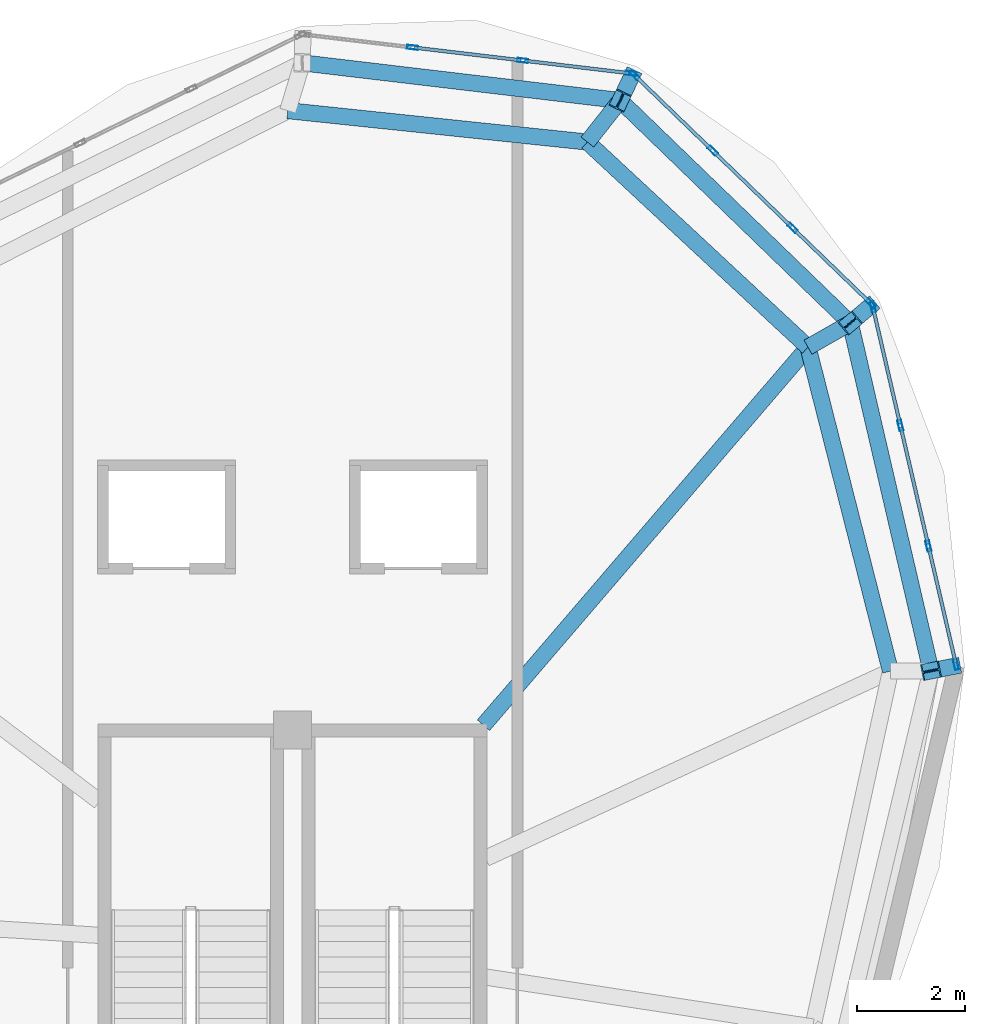
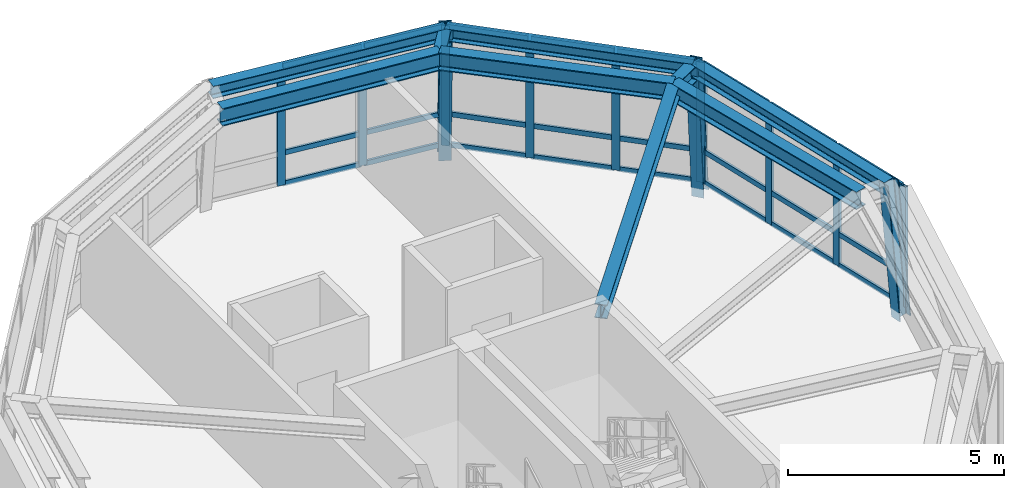
# One storey, part 6 of 9: 38 members, 9 beams, 3 elements without a shape of their own.
"""IFC4 building model written with IfcOpenShell, lengths in metres."""

from ifc_helpers import new_model, si_unit, direction, frame, origin, origin_2d, place, context, subcontext, project, spatial, hollow_rectangle, i_section, extrude, material, layer, layer_set, material_profile, profile_set, type_object, element, aggregate, save


model = new_model("IFC4")

# Units and contexts
model_context = context("Model", 3, precision=1e-05, world=origin(), true_north=direction((0.0, 1.0)))
body_context = subcontext(model_context, "Body", "Model", "MODEL_VIEW")
ifc_project = project(units=[si_unit("LENGTHUNIT", "METRE"), si_unit("AREAUNIT", "SQUARE_METRE"), si_unit("VOLUMEUNIT", "CUBIC_METRE"), si_unit("PLANEANGLEUNIT", "RADIAN"), si_unit("MASSUNIT", "GRAM", prefix="KILO"), si_unit("THERMODYNAMICTEMPERATUREUNIT", "KELVIN"), si_unit("POWERUNIT", "WATT")], contexts=[model_context])

# Site, building, storey
site_placement = place(None, origin())
site = spatial("IfcSite", under=ifc_project, at=site_placement, CompositionType="ELEMENT")
building_placement = place(site_placement, origin())
building = spatial("IfcBuilding", under=site, at=building_placement, Name="Ocrelia Relay Tower", CompositionType="ELEMENT")
storey_placement = place(building_placement, frame((0.0, 0.0, 296.0)))
storey = spatial("IfcBuildingStorey", under=building, at=storey_placement, Name="L74", CompositionType="ELEMENT", Elevation=296.0)

# Beams
ifc_material_1 = material(Name="Steel S355", Category="steel")
ifc_material_profile_1 = material_profile(ifc_material_1, i_section(OverallWidth=0.300048828125, OverallDepth=0.35009765625, WebThickness=0.010009765625, FlangeThickness=0.017578125, FilletRadius=0.027099609375, at=origin_2d()), Name="HEA 360")
ifc_profile_set_1 = profile_set([ifc_material_profile_1], Name="Steel S355")
beam_type_1 = type_object("IfcBeamType", Name="BM-HEA360", PredefinedType="SPANDREL", material=ifc_profile_set_1)
beam_1_placement = place(storey_placement, frame((40.048095703125, 38.737060546875, 3.574951171875), z_axis=(-0.993050709367, 0.117687249209, 0.0), x_axis=(-0.117687249209, -0.993050709367, 0.0)))
element("IfcBeam", 1, at=beam_1_placement, inside=storey, type_object=beam_type_1, Name="L74 Crown Faceted Ring Beam R01", PredefinedType="SPANDREL", context=body_context, shape_type="SweptSolid", body=[
    extrude(i_section(OverallWidth=0.300048828125, OverallDepth=0.35009765625, WebThickness=0.010009765625, FlangeThickness=0.017578125, FilletRadius=0.027099609375, at=origin_2d()), origin(), (0.0, 0.0, 1.0), 5.91015625),
])
beam_2_placement = place(storey_placement, frame((45.785888671875, 28.2080078125, 3.574951171875), z_axis=(-0.225984725193, 0.97413084541, 0.0), x_axis=(-0.97413084541, -0.225984725193, 0.0)))
element("IfcBeam", 2, at=beam_2_placement, inside=storey, type_object=beam_type_1, Name="L74 Crown Faceted Ring Beam R11", PredefinedType="SPANDREL", context=body_context, shape_type="SweptSolid", body=[
    extrude(i_section(OverallWidth=0.300048828125, OverallDepth=0.35009765625, WebThickness=0.010009765625, FlangeThickness=0.017578125, FilletRadius=0.027099609375, at=origin_2d()), origin(), (0.0, 0.0, 1.0), 6.591064453125),
])
beam_3_placement = place(storey_placement, frame((44.29638671875, 34.628662109375, 3.574951171875), z_axis=(-0.718843168716, 0.695172279935, 0.0), x_axis=(-0.695172279935, -0.718843168716, 0.0)))
element("IfcBeam", 3, at=beam_3_placement, inside=storey, type_object=beam_type_1, Name="L74 Crown Faceted Ring Beam R12", PredefinedType="SPANDREL", context=body_context, shape_type="SweptSolid", body=[
    extrude(i_section(OverallWidth=0.300048828125, OverallDepth=0.35009765625, WebThickness=0.010009765625, FlangeThickness=0.017578125, FilletRadius=0.027099609375, at=origin_2d()), origin(), (0.0, 0.0, 1.0), 5.909912109375),
])
ifc_material_profile_2 = material_profile(ifc_material_1, i_section(OverallWidth=0.300048828125, OverallDepth=0.389892578125, WebThickness=0.010986328125, FlangeThickness=0.01904296875, FilletRadius=0.027099609375, at=origin_2d()), Name="HEA 400")
ifc_profile_set_2 = profile_set([ifc_material_profile_2], Name="Steel S355")
beam_type_2 = type_object("IfcBeamType", Name="BM-HEA400", PredefinedType="SPANDREL", material=ifc_profile_set_2)
beam_4_placement = place(storey_placement, frame((43.515380859375, 34.18359375, 3.554931640625), z_axis=(-0.651394501883, -0.758739219308, 0.0), x_axis=(0.758739219308, -0.651394501883, 0.0)))
element("IfcBeam", 4, at=beam_4_placement, inside=storey, type_object=beam_type_2, Name="L74 Crown Radial Floor Beam 12", PredefinedType="SPANDREL", context=body_context, shape_type="SweptSolid", body=[
    extrude(i_section(OverallWidth=0.300048828125, OverallDepth=0.389892578125, WebThickness=0.010986328125, FlangeThickness=0.01904296875, FilletRadius=0.027099609375, at=origin_2d()), origin(), (0.0, 0.0, 1.0), 9.197509765625),
])
ifc_material_profile_3 = material_profile(ifc_material_1, i_section(OverallWidth=0.300048828125, OverallDepth=0.449951171875, WebThickness=0.013916015625, FlangeThickness=0.02587890625, FilletRadius=0.027099609375, at=origin_2d()), Name="HEB 450")
ifc_profile_set_3 = profile_set([ifc_material_profile_3], Name="Steel S355")
beam_type_3 = type_object("IfcBeamType", Name="BM-HEB450", PredefinedType="BEAM", material=ifc_profile_set_3)
beam_5_placement = place(storey_placement, frame((40.048095703125, 38.737060546875, 3.52490234375), z_axis=(-0.61977397797, -0.784780361778, 0.0), x_axis=(0.784780361778, -0.61977397797, 0.0)))
element("IfcBeam", 5, at=beam_5_placement, inside=storey, type_object=beam_type_3, Name="L74 Crown Step Radial Beam ST01", PredefinedType="BEAM", context=body_context, shape_type="SweptSolid", body=[
    extrude(i_section(OverallWidth=0.300048828125, OverallDepth=0.449951171875, WebThickness=0.013916015625, FlangeThickness=0.02587890625, FilletRadius=0.027099609375, at=origin_2d()), origin(), (0.0, 0.0, 1.0), 0.9765625),
])
beam_6_placement = place(storey_placement, frame((44.29638671875, 34.628662109375, 3.52490234375), z_axis=(-0.86882750918, -0.495114895041, 0.0), x_axis=(0.495114895041, -0.86882750918, 0.0)))
element("IfcBeam", 6, at=beam_6_placement, inside=storey, type_object=beam_type_3, Name="L74 Crown Step Radial Beam ST12", PredefinedType="BEAM", context=body_context, shape_type="SweptSolid", body=[
    extrude(i_section(OverallWidth=0.300048828125, OverallDepth=0.449951171875, WebThickness=0.013916015625, FlangeThickness=0.02587890625, FilletRadius=0.027099609375, at=origin_2d()), origin(), (0.0, 0.0, 1.0), 0.89892578125),
])
ifc_material_profile_4 = material_profile(ifc_material_1, i_section(OverallWidth=0.300048828125, OverallDepth=0.5, WebThickness=0.014404296875, FlangeThickness=0.028076171875, FilletRadius=0.027099609375, at=origin_2d()), Name="HEB 500")
ifc_profile_set_4 = profile_set([ifc_material_profile_4], Name="Steel S355")
beam_type_4 = type_object("IfcBeamType", Name="BM-HEB500", PredefinedType="BEAM", material=ifc_profile_set_4)
beam_7_placement = place(storey_placement, frame((39.44287109375, 37.970703125, 3.5), z_axis=(-0.994554892224, 0.104214041055, 0.0), x_axis=(-0.104214041055, -0.994554892224, 0.0)))
element("IfcBeam", 7, at=beam_7_placement, inside=storey, type_object=beam_type_4, Name="L74 Crown Step Perimeter Ring Beam SR01", PredefinedType="BEAM", context=body_context, shape_type="SweptSolid", body=[
    extrude(i_section(OverallWidth=0.300048828125, OverallDepth=0.5, WebThickness=0.014404296875, FlangeThickness=0.028076171875, FilletRadius=0.027099609375, at=origin_2d()), origin(), (0.0, 0.0, 1.0), 5.5615234375),
])
beam_8_placement = place(storey_placement, frame((45.03857421875, 28.203857421875, 3.5), z_axis=(-0.246843443713, 0.969055372152, 0.0), x_axis=(-0.969055372152, -0.246843443713, 0.0)))
element("IfcBeam", 8, at=beam_8_placement, inside=storey, type_object=beam_type_4, Name="L74 Crown Step Perimeter Ring Beam SR11", PredefinedType="BEAM", context=body_context, shape_type="SweptSolid", body=[
    extrude(i_section(OverallWidth=0.300048828125, OverallDepth=0.5, WebThickness=0.014404296875, FlangeThickness=0.028076171875, FilletRadius=0.027099609375, at=origin_2d()), origin(), (0.0, 0.0, 1.0), 6.170654296875),
])
beam_9_placement = place(storey_placement, frame((43.515380859375, 34.18359375, 3.5), z_axis=(-0.732300774468, 0.680981332867, 0.0), x_axis=(-0.680981332867, -0.732300774468, 0.0)))
element("IfcBeam", 9, at=beam_9_placement, inside=storey, type_object=beam_type_4, Name="L74 Crown Step Perimeter Ring Beam SR12", PredefinedType="BEAM", context=body_context, shape_type="SweptSolid", body=[
    extrude(i_section(OverallWidth=0.300048828125, OverallDepth=0.5, WebThickness=0.014404296875, FlangeThickness=0.028076171875, FilletRadius=0.027099609375, at=origin_2d()), origin(), (0.0, 0.0, 1.0), 5.561279296875),
])

# Curtain wall, members
ifc_material_2 = material(Name="Aluminium and solar-control low-E glass", Category="aluminium")
ifc_layer = layer(ifc_material_2, 0.179931640625, Name="Aluminium and solar-control low-E glass")
ifc_layer_set = layer_set([ifc_layer], Name="Aluminium and solar-control low-E glass")
curtain_wall_type = type_object("IfcCurtainWallType", Name="CW-SYS-CROWN-PT", PredefinedType="NOTDEFINED", material=ifc_layer_set)
curtain_wall_1_placement = place(storey_placement, origin())
curtain_wall_1 = element("IfcCurtainWall", 10, at=curtain_wall_1_placement, inside=storey, type_object=curtain_wall_type, Name="L74 Faceted Glass-Point Crown Curtain Wall 01", PredefinedType="NOTDEFINED")
ifc_material_3 = material(Name="Anodised bronze aluminium", Category="aluminium")
ifc_material_profile_5 = material_profile(ifc_material_3, hollow_rectangle(XDim=0.074951171875, YDim=0.199951171875, WallThickness=0.006103515625, at=origin_2d()), Name="CW-MUL-200x75")
ifc_profile_set_5 = profile_set([ifc_material_profile_5], Name="Anodised bronze aluminium")
member_type_1 = type_object("IfcMemberType", Name="CW-SYS-CROWN-PT-MUL", PredefinedType="MULLION", material=ifc_profile_set_5)
member_1_placement = place(storey_placement, frame((40.24658203125, 39.23828125, 0.0), z_axis=(0.0, 0.0, 1.0), x_axis=(-0.118029557759, -0.993010082273, 0.0)))
member_1 = element("IfcMember", 11, at=member_1_placement, type_object=member_type_1, Name="CW-CR mullion 1", PredefinedType="MULLION", context=body_context, shape_type="SweptSolid", body=[
    extrude(hollow_rectangle(XDim=0.074951171875, YDim=0.199951171875, WallThickness=0.006103515625, at=origin_2d()), origin(), (0.0, 0.0, 1.0), 3.389892578125),
])
member_2_placement = place(storey_placement, frame((38.249267578125, 39.475830078125, 0.0), z_axis=(0.0, 0.0, 1.0), x_axis=(-0.118029557759, -0.993010082273, 0.0)))
member_2 = element("IfcMember", 12, at=member_2_placement, type_object=member_type_1, Name="CW-CR mullion 2", PredefinedType="MULLION", context=body_context, shape_type="SweptSolid", body=[
    extrude(hollow_rectangle(XDim=0.074951171875, YDim=0.199951171875, WallThickness=0.006103515625, at=origin_2d()), origin(), (0.0, 0.0, 1.0), 3.389892578125),
])
member_3_placement = place(storey_placement, frame((36.214599609375, 39.717529296875, 0.0), z_axis=(0.0, 0.0, 1.0), x_axis=(-0.118029557759, -0.993010082273, 0.0)))
member_3 = element("IfcMember", 13, at=member_3_placement, type_object=member_type_1, Name="CW-CR mullion 3", PredefinedType="MULLION", context=body_context, shape_type="SweptSolid", body=[
    extrude(hollow_rectangle(XDim=0.074951171875, YDim=0.199951171875, WallThickness=0.006103515625, at=origin_2d()), origin(), (0.0, 0.0, 1.0), 3.389892578125),
])

curtain_wall_2_placement = place(storey_placement, origin())
curtain_wall_2 = element("IfcCurtainWall", 14, at=curtain_wall_2_placement, inside=storey, type_object=curtain_wall_type, Name="L74 Faceted Glass-Point Crown Curtain Wall 11", PredefinedType="NOTDEFINED")
member_4_placement = place(storey_placement, frame((46.247314453125, 28.325927734375, 0.0), z_axis=(0.0, 0.0, 1.0), x_axis=(-0.974003533407, -0.226532816409, 0.0)))
member_4 = element("IfcMember", 15, at=member_4_placement, type_object=member_type_1, Name="CW-CR mullion 1", PredefinedType="MULLION", context=body_context, shape_type="SweptSolid", body=[
    extrude(hollow_rectangle(XDim=0.074951171875, YDim=0.199951171875, WallThickness=0.006103515625, at=origin_2d()), origin(), (0.0, 0.0, 1.0), 3.389892578125),
])
member_5_placement = place(storey_placement, frame((45.738525390625, 30.513671875, 0.0), z_axis=(0.0, 0.0, 1.0), x_axis=(-0.974003533407, -0.226532816409, 0.0)))
member_5 = element("IfcMember", 16, at=member_5_placement, type_object=member_type_1, Name="CW-CR mullion 2", PredefinedType="MULLION", context=body_context, shape_type="SweptSolid", body=[
    extrude(hollow_rectangle(XDim=0.074951171875, YDim=0.199951171875, WallThickness=0.006103515625, at=origin_2d()), origin(), (0.0, 0.0, 1.0), 3.389892578125),
])
member_6_placement = place(storey_placement, frame((45.22119140625, 32.738037109375, 0.0), z_axis=(0.0, 0.0, 1.0), x_axis=(-0.974003533407, -0.226532816409, 0.0)))
member_6 = element("IfcMember", 17, at=member_6_placement, type_object=member_type_1, Name="CW-CR mullion 3", PredefinedType="MULLION", context=body_context, shape_type="SweptSolid", body=[
    extrude(hollow_rectangle(XDim=0.074951171875, YDim=0.199951171875, WallThickness=0.006103515625, at=origin_2d()), origin(), (0.0, 0.0, 1.0), 3.389892578125),
])
member_7_placement = place(storey_placement, frame((44.71240234375, 34.92578125, 0.0), z_axis=(0.0, 0.0, 1.0), x_axis=(-0.974003533407, -0.226532816409, 0.0)))
member_7 = element("IfcMember", 18, at=member_7_placement, type_object=member_type_1, Name="CW-CR mullion 4", PredefinedType="MULLION", context=body_context, shape_type="SweptSolid", body=[
    extrude(hollow_rectangle(XDim=0.074951171875, YDim=0.199951171875, WallThickness=0.006103515625, at=origin_2d()), origin(), (0.0, 0.0, 1.0), 3.389892578125),
])

curtain_wall_3_placement = place(storey_placement, origin())
curtain_wall_3 = element("IfcCurtainWall", 19, at=curtain_wall_3_placement, inside=storey, type_object=curtain_wall_type, Name="L74 Faceted Glass-Point Crown Curtain Wall 12", PredefinedType="NOTDEFINED")
member_8_placement = place(storey_placement, frame((44.677001953125, 34.98828125, 0.0), z_axis=(0.0, 0.0, 1.0), x_axis=(-0.694932384833, -0.719075086837, 0.0)))
member_8 = element("IfcMember", 20, at=member_8_placement, type_object=member_type_1, Name="CW-CR mullion 1", PredefinedType="MULLION", context=body_context, shape_type="SweptSolid", body=[
    extrude(hollow_rectangle(XDim=0.074951171875, YDim=0.199951171875, WallThickness=0.006103515625, at=origin_2d()), origin(), (0.0, 0.0, 1.0), 3.389892578125),
])
member_9_placement = place(storey_placement, frame((43.23046875, 36.38623046875, 0.0), z_axis=(0.0, 0.0, 1.0), x_axis=(-0.694932384833, -0.719075086837, 0.0)))
member_9 = element("IfcMember", 21, at=member_9_placement, type_object=member_type_1, Name="CW-CR mullion 2", PredefinedType="MULLION", context=body_context, shape_type="SweptSolid", body=[
    extrude(hollow_rectangle(XDim=0.074951171875, YDim=0.199951171875, WallThickness=0.006103515625, at=origin_2d()), origin(), (0.0, 0.0, 1.0), 3.389892578125),
])
member_10_placement = place(storey_placement, frame((41.75732421875, 37.81005859375, 0.0), z_axis=(0.0, 0.0, 1.0), x_axis=(-0.694932384833, -0.719075086837, 0.0)))
member_10 = element("IfcMember", 22, at=member_10_placement, type_object=member_type_1, Name="CW-CR mullion 3", PredefinedType="MULLION", context=body_context, shape_type="SweptSolid", body=[
    extrude(hollow_rectangle(XDim=0.074951171875, YDim=0.199951171875, WallThickness=0.006103515625, at=origin_2d()), origin(), (0.0, 0.0, 1.0), 3.389892578125),
])
member_11_placement = place(storey_placement, frame((40.310791015625, 39.207763671875, 0.0), z_axis=(0.0, 0.0, 1.0), x_axis=(-0.694932384833, -0.719075086837, 0.0)))
member_11 = element("IfcMember", 23, at=member_11_placement, type_object=member_type_1, Name="CW-CR mullion 4", PredefinedType="MULLION", context=body_context, shape_type="SweptSolid", body=[
    extrude(hollow_rectangle(XDim=0.074951171875, YDim=0.199951171875, WallThickness=0.006103515625, at=origin_2d()), origin(), (0.0, 0.0, 1.0), 3.389892578125),
])

# Member
ifc_material_profile_6 = material_profile(ifc_material_3, hollow_rectangle(XDim=0.06494140625, YDim=0.139892578125, WallThickness=0.0048828125, at=origin_2d()), Name="CW-TRN-140x65")
ifc_profile_set_6 = profile_set([ifc_material_profile_6], Name="Anodised bronze aluminium")
member_type_2 = type_object("IfcMemberType", Name="CW-SYS-CROWN-PT-TRN", PredefinedType="USERDEFINED", material=ifc_profile_set_6)
member_12_placement = place(storey_placement, frame((40.20947265625, 39.24267578125, 0.032470703125), z_axis=(-0.993012215486, 0.118011609154, 0.0), x_axis=(-0.118011609154, -0.993012215486, 0.0)))
member_12 = element("IfcMember", 24, at=member_12_placement, type_object=member_type_2, Name="CW-CR transom 1.1", ObjectType="TRANSOM", PredefinedType="USERDEFINED", context=body_context, shape_type="SweptSolid", body=[
    extrude(hollow_rectangle(XDim=0.06494140625, YDim=0.139892578125, WallThickness=0.0048828125, at=origin_2d()), origin(), (0.0, 0.0, 1.0), 1.936279296875),
])

member_13_placement = place(storey_placement, frame((40.20947265625, 39.24267578125, 0.89990234375), z_axis=(-0.993012215486, 0.118011609154, 0.0), x_axis=(-0.118011609154, -0.993012215486, 0.0)))
member_13 = element("IfcMember", 25, at=member_13_placement, type_object=member_type_2, Name="CW-CR transom 1.2", ObjectType="TRANSOM", PredefinedType="USERDEFINED", context=body_context, shape_type="SweptSolid", body=[
    extrude(hollow_rectangle(XDim=0.06494140625, YDim=0.139892578125, WallThickness=0.0048828125, at=origin_2d()), origin(), (0.0, 0.0, 1.0), 1.936279296875),
])

member_14_placement = place(storey_placement, frame((40.20947265625, 39.24267578125, 3.357421875), z_axis=(-0.993012215486, 0.118011609154, 0.0), x_axis=(-0.118011609154, -0.993012215486, 0.0)))
member_14 = element("IfcMember", 26, at=member_14_placement, type_object=member_type_2, Name="CW-CR transom 1.3", ObjectType="TRANSOM", PredefinedType="USERDEFINED", context=body_context, shape_type="SweptSolid", body=[
    extrude(hollow_rectangle(XDim=0.06494140625, YDim=0.139892578125, WallThickness=0.0048828125, at=origin_2d()), origin(), (0.0, 0.0, 1.0), 1.936279296875),
])

member_15_placement = place(storey_placement, frame((38.212158203125, 39.480224609375, 0.032470703125), z_axis=(-0.993014865142, 0.117989311414, 0.0), x_axis=(-0.117989311414, -0.993014865142, 0.0)))
member_15 = element("IfcMember", 27, at=member_15_placement, type_object=member_type_2, Name="CW-CR transom 2.1", ObjectType="TRANSOM", PredefinedType="USERDEFINED", context=body_context, shape_type="SweptSolid", body=[
    extrude(hollow_rectangle(XDim=0.06494140625, YDim=0.139892578125, WallThickness=0.0048828125, at=origin_2d()), origin(), (0.0, 0.0, 1.0), 1.973876953125),
])

member_16_placement = place(storey_placement, frame((38.212158203125, 39.480224609375, 0.89990234375), z_axis=(-0.993014865142, 0.117989311414, 0.0), x_axis=(-0.117989311414, -0.993014865142, 0.0)))
member_16 = element("IfcMember", 28, at=member_16_placement, type_object=member_type_2, Name="CW-CR transom 2.2", ObjectType="TRANSOM", PredefinedType="USERDEFINED", context=body_context, shape_type="SweptSolid", body=[
    extrude(hollow_rectangle(XDim=0.06494140625, YDim=0.139892578125, WallThickness=0.0048828125, at=origin_2d()), origin(), (0.0, 0.0, 1.0), 1.973876953125),
])

member_17_placement = place(storey_placement, frame((38.212158203125, 39.480224609375, 3.357421875), z_axis=(-0.993014865142, 0.117989311414, 0.0), x_axis=(-0.117989311414, -0.993014865142, 0.0)))
member_17 = element("IfcMember", 29, at=member_17_placement, type_object=member_type_2, Name="CW-CR transom 2.3", ObjectType="TRANSOM", PredefinedType="USERDEFINED", context=body_context, shape_type="SweptSolid", body=[
    extrude(hollow_rectangle(XDim=0.06494140625, YDim=0.139892578125, WallThickness=0.0048828125, at=origin_2d()), origin(), (0.0, 0.0, 1.0), 1.973876953125),
])

aggregate(curtain_wall_1, [member_1, member_2, member_3, member_12, member_13, member_14, member_15, member_16, member_17])

member_18_placement = place(storey_placement, frame((46.239013671875, 28.3623046875, 0.032470703125), z_axis=(-0.226575514599, 0.973993601716, 0.0), x_axis=(-0.973993601716, -0.226575514599, 0.0)))
member_18 = element("IfcMember", 30, at=member_18_placement, type_object=member_type_2, Name="CW-CR transom 1.1", ObjectType="TRANSOM", PredefinedType="USERDEFINED", context=body_context, shape_type="SweptSolid", body=[
    extrude(hollow_rectangle(XDim=0.06494140625, YDim=0.139892578125, WallThickness=0.0048828125, at=origin_2d()), origin(), (0.0, 0.0, 1.0), 2.171142578125),
])

member_19_placement = place(storey_placement, frame((46.239013671875, 28.3623046875, 0.89990234375), z_axis=(-0.226575514599, 0.973993601716, 0.0), x_axis=(-0.973993601716, -0.226575514599, 0.0)))
member_19 = element("IfcMember", 31, at=member_19_placement, type_object=member_type_2, Name="CW-CR transom 1.2", ObjectType="TRANSOM", PredefinedType="USERDEFINED", context=body_context, shape_type="SweptSolid", body=[
    extrude(hollow_rectangle(XDim=0.06494140625, YDim=0.139892578125, WallThickness=0.0048828125, at=origin_2d()), origin(), (0.0, 0.0, 1.0), 2.171142578125),
])

member_20_placement = place(storey_placement, frame((46.239013671875, 28.3623046875, 3.357421875), z_axis=(-0.226575514599, 0.973993601716, 0.0), x_axis=(-0.973993601716, -0.226575514599, 0.0)))
member_20 = element("IfcMember", 32, at=member_20_placement, type_object=member_type_2, Name="CW-CR transom 1.3", ObjectType="TRANSOM", PredefinedType="USERDEFINED", context=body_context, shape_type="SweptSolid", body=[
    extrude(hollow_rectangle(XDim=0.06494140625, YDim=0.139892578125, WallThickness=0.0048828125, at=origin_2d()), origin(), (0.0, 0.0, 1.0), 2.171142578125),
])

member_21_placement = place(storey_placement, frame((45.72998046875, 30.550048828125, 0.032470703125), z_axis=(-0.226481792201, 0.97401539916, 0.0), x_axis=(-0.97401539916, -0.226481792201, 0.0)))
member_21 = element("IfcMember", 33, at=member_21_placement, type_object=member_type_2, Name="CW-CR transom 2.1", ObjectType="TRANSOM", PredefinedType="USERDEFINED", context=body_context, shape_type="SweptSolid", body=[
    extrude(hollow_rectangle(XDim=0.06494140625, YDim=0.139892578125, WallThickness=0.0048828125, at=origin_2d()), origin(), (0.0, 0.0, 1.0), 2.208740234375),
])

member_22_placement = place(storey_placement, frame((45.72998046875, 30.550048828125, 0.89990234375), z_axis=(-0.226481792201, 0.97401539916, 0.0), x_axis=(-0.97401539916, -0.226481792201, 0.0)))
member_22 = element("IfcMember", 34, at=member_22_placement, type_object=member_type_2, Name="CW-CR transom 2.2", ObjectType="TRANSOM", PredefinedType="USERDEFINED", context=body_context, shape_type="SweptSolid", body=[
    extrude(hollow_rectangle(XDim=0.06494140625, YDim=0.139892578125, WallThickness=0.0048828125, at=origin_2d()), origin(), (0.0, 0.0, 1.0), 2.208740234375),
])

member_23_placement = place(storey_placement, frame((45.72998046875, 30.550048828125, 3.357421875), z_axis=(-0.226481792201, 0.97401539916, 0.0), x_axis=(-0.97401539916, -0.226481792201, 0.0)))
member_23 = element("IfcMember", 35, at=member_23_placement, type_object=member_type_2, Name="CW-CR transom 2.3", ObjectType="TRANSOM", PredefinedType="USERDEFINED", context=body_context, shape_type="SweptSolid", body=[
    extrude(hollow_rectangle(XDim=0.06494140625, YDim=0.139892578125, WallThickness=0.0048828125, at=origin_2d()), origin(), (0.0, 0.0, 1.0), 2.208740234375),
])

member_24_placement = place(storey_placement, frame((45.212646484375, 32.7744140625, 0.032470703125), z_axis=(-0.226468838598, 0.974018411091, 0.0), x_axis=(-0.974018411091, -0.226468838598, 0.0)))
member_24 = element("IfcMember", 36, at=member_24_placement, type_object=member_type_2, Name="CW-CR transom 3.1", ObjectType="TRANSOM", PredefinedType="USERDEFINED", context=body_context, shape_type="SweptSolid", body=[
    extrude(hollow_rectangle(XDim=0.06494140625, YDim=0.139892578125, WallThickness=0.0048828125, at=origin_2d()), origin(), (0.0, 0.0, 1.0), 2.171142578125),
])

member_25_placement = place(storey_placement, frame((45.212646484375, 32.7744140625, 0.89990234375), z_axis=(-0.226468838598, 0.974018411091, 0.0), x_axis=(-0.974018411091, -0.226468838598, 0.0)))
member_25 = element("IfcMember", 37, at=member_25_placement, type_object=member_type_2, Name="CW-CR transom 3.2", ObjectType="TRANSOM", PredefinedType="USERDEFINED", context=body_context, shape_type="SweptSolid", body=[
    extrude(hollow_rectangle(XDim=0.06494140625, YDim=0.139892578125, WallThickness=0.0048828125, at=origin_2d()), origin(), (0.0, 0.0, 1.0), 2.171142578125),
])

member_26_placement = place(storey_placement, frame((45.212646484375, 32.7744140625, 3.357421875), z_axis=(-0.226468838598, 0.974018411091, 0.0), x_axis=(-0.974018411091, -0.226468838598, 0.0)))
member_26 = element("IfcMember", 38, at=member_26_placement, type_object=member_type_2, Name="CW-CR transom 3.3", ObjectType="TRANSOM", PredefinedType="USERDEFINED", context=body_context, shape_type="SweptSolid", body=[
    extrude(hollow_rectangle(XDim=0.06494140625, YDim=0.139892578125, WallThickness=0.0048828125, at=origin_2d()), origin(), (0.0, 0.0, 1.0), 2.171142578125),
])

aggregate(curtain_wall_2, [member_4, member_5, member_6, member_7, member_18, member_19, member_20, member_21, member_22, member_23, member_24, member_25, member_26])

member_27_placement = place(storey_placement, frame((44.64990234375, 35.014404296875, 0.032470703125), z_axis=(-0.719045077923, 0.694963434948, 0.0), x_axis=(-0.694963434948, -0.719045077923, 0.0)))
member_27 = element("IfcMember", 39, at=member_27_placement, type_object=member_type_2, Name="CW-CR transom 1.1", ObjectType="TRANSOM", PredefinedType="USERDEFINED", context=body_context, shape_type="SweptSolid", body=[
    extrude(hollow_rectangle(XDim=0.06494140625, YDim=0.139892578125, WallThickness=0.0048828125, at=origin_2d()), origin(), (0.0, 0.0, 1.0), 1.936279296875),
])

member_28_placement = place(storey_placement, frame((44.64990234375, 35.014404296875, 0.89990234375), z_axis=(-0.719045077923, 0.694963434948, 0.0), x_axis=(-0.694963434948, -0.719045077923, 0.0)))
member_28 = element("IfcMember", 40, at=member_28_placement, type_object=member_type_2, Name="CW-CR transom 1.2", ObjectType="TRANSOM", PredefinedType="USERDEFINED", context=body_context, shape_type="SweptSolid", body=[
    extrude(hollow_rectangle(XDim=0.06494140625, YDim=0.139892578125, WallThickness=0.0048828125, at=origin_2d()), origin(), (0.0, 0.0, 1.0), 1.936279296875),
])

member_29_placement = place(storey_placement, frame((44.64990234375, 35.014404296875, 3.357421875), z_axis=(-0.719045077923, 0.694963434948, 0.0), x_axis=(-0.694963434948, -0.719045077923, 0.0)))
member_29 = element("IfcMember", 41, at=member_29_placement, type_object=member_type_2, Name="CW-CR transom 1.3", ObjectType="TRANSOM", PredefinedType="USERDEFINED", context=body_context, shape_type="SweptSolid", body=[
    extrude(hollow_rectangle(XDim=0.06494140625, YDim=0.139892578125, WallThickness=0.0048828125, at=origin_2d()), origin(), (0.0, 0.0, 1.0), 1.936279296875),
])

member_30_placement = place(storey_placement, frame((43.20361328125, 36.412109375, 0.032470703125), z_axis=(-0.719062535993, 0.694945371473, 0.0), x_axis=(-0.694945371473, -0.719062535993, 0.0)))
member_30 = element("IfcMember", 42, at=member_30_placement, type_object=member_type_2, Name="CW-CR transom 2.1", ObjectType="TRANSOM", PredefinedType="USERDEFINED", context=body_context, shape_type="SweptSolid", body=[
    extrude(hollow_rectangle(XDim=0.06494140625, YDim=0.139892578125, WallThickness=0.0048828125, at=origin_2d()), origin(), (0.0, 0.0, 1.0), 1.97412109375),
])

member_31_placement = place(storey_placement, frame((43.20361328125, 36.412109375, 0.89990234375), z_axis=(-0.719062535993, 0.694945371473, 0.0), x_axis=(-0.694945371473, -0.719062535993, 0.0)))
member_31 = element("IfcMember", 43, at=member_31_placement, type_object=member_type_2, Name="CW-CR transom 2.2", ObjectType="TRANSOM", PredefinedType="USERDEFINED", context=body_context, shape_type="SweptSolid", body=[
    extrude(hollow_rectangle(XDim=0.06494140625, YDim=0.139892578125, WallThickness=0.0048828125, at=origin_2d()), origin(), (0.0, 0.0, 1.0), 1.97412109375),
])

member_32_placement = place(storey_placement, frame((43.20361328125, 36.412109375, 3.357421875), z_axis=(-0.719062535993, 0.694945371473, 0.0), x_axis=(-0.694945371473, -0.719062535993, 0.0)))
member_32 = element("IfcMember", 44, at=member_32_placement, type_object=member_type_2, Name="CW-CR transom 2.3", ObjectType="TRANSOM", PredefinedType="USERDEFINED", context=body_context, shape_type="SweptSolid", body=[
    extrude(hollow_rectangle(XDim=0.06494140625, YDim=0.139892578125, WallThickness=0.0048828125, at=origin_2d()), origin(), (0.0, 0.0, 1.0), 1.97412109375),
])

member_33_placement = place(storey_placement, frame((41.730224609375, 37.836181640625, 0.032470703125), z_axis=(-0.719045077923, 0.694963434948, 0.0), x_axis=(-0.694963434948, -0.719045077923, 0.0)))
member_33 = element("IfcMember", 45, at=member_33_placement, type_object=member_type_2, Name="CW-CR transom 3.1", ObjectType="TRANSOM", PredefinedType="USERDEFINED", context=body_context, shape_type="SweptSolid", body=[
    extrude(hollow_rectangle(XDim=0.06494140625, YDim=0.139892578125, WallThickness=0.0048828125, at=origin_2d()), origin(), (0.0, 0.0, 1.0), 1.936279296875),
])

member_34_placement = place(storey_placement, frame((41.730224609375, 37.836181640625, 0.89990234375), z_axis=(-0.719045077923, 0.694963434948, 0.0), x_axis=(-0.694963434948, -0.719045077923, 0.0)))
member_34 = element("IfcMember", 46, at=member_34_placement, type_object=member_type_2, Name="CW-CR transom 3.2", ObjectType="TRANSOM", PredefinedType="USERDEFINED", context=body_context, shape_type="SweptSolid", body=[
    extrude(hollow_rectangle(XDim=0.06494140625, YDim=0.139892578125, WallThickness=0.0048828125, at=origin_2d()), origin(), (0.0, 0.0, 1.0), 1.936279296875),
])

member_35_placement = place(storey_placement, frame((41.730224609375, 37.836181640625, 3.357421875), z_axis=(-0.719045077923, 0.694963434948, 0.0), x_axis=(-0.694963434948, -0.719045077923, 0.0)))
member_35 = element("IfcMember", 47, at=member_35_placement, type_object=member_type_2, Name="CW-CR transom 3.3", ObjectType="TRANSOM", PredefinedType="USERDEFINED", context=body_context, shape_type="SweptSolid", body=[
    extrude(hollow_rectangle(XDim=0.06494140625, YDim=0.139892578125, WallThickness=0.0048828125, at=origin_2d()), origin(), (0.0, 0.0, 1.0), 1.936279296875),
])

aggregate(curtain_wall_3, [member_8, member_9, member_10, member_11, member_27, member_28, member_29, member_30, member_31, member_32, member_33, member_34, member_35])

# Members
ifc_material_profile_7 = material_profile(ifc_material_1, i_section(OverallWidth=0.300048828125, OverallDepth=0.340087890625, WebThickness=0.011962890625, FlangeThickness=0.021484375, FilletRadius=0.027099609375, at=origin_2d()), Name="HEB 340")
ifc_profile_set_7 = profile_set([ifc_material_profile_7], Name="Steel S355")
member_type_3 = type_object("IfcMemberType", Name="MB-CROWN-RIB", PredefinedType="STRUT", material=ifc_profile_set_7)
member_36_placement = place(storey_placement, frame((40.240966796875, 39.1435546875, -0.25), z_axis=(-0.047915604992, -0.100986686471, 0.993733255936), x_axis=(0.90346143044, -0.428669387416, 0.0)))
element("IfcMember", 48, at=member_36_placement, inside=storey, type_object=member_type_3, Name="L74 Crown Faceted Structural Strut Rib CR01", PredefinedType="STRUT", context=body_context, shape_type="SweptSolid", body=[
    extrude(i_section(OverallWidth=0.300048828125, OverallDepth=0.340087890625, WebThickness=0.011962890625, FlangeThickness=0.021484375, FilletRadius=0.027099609375, at=origin_2d()), origin(), (0.0, 0.0, 1.0), 4.025146484375),
])
member_37_placement = place(storey_placement, frame((46.15625, 28.28125, -0.25), z_axis=(-0.092180658399, -0.018229530336, 0.995575416752), x_axis=(0.194001559774, -0.981001220593, 0.0)))
element("IfcMember", 49, at=member_37_placement, inside=storey, type_object=member_type_3, Name="L74 Crown Faceted Structural Strut Rib CR11", PredefinedType="STRUT", context=body_context, shape_type="SweptSolid", body=[
    extrude(i_section(OverallWidth=0.300048828125, OverallDepth=0.340087890625, WebThickness=0.011962890625, FlangeThickness=0.021484375, FilletRadius=0.027099609375, at=origin_2d()), origin(), (0.0, 0.0, 1.0), 4.017822265625),
])
member_38_placement = place(storey_placement, frame((44.62158203125, 34.905517578125, -0.25), z_axis=(-0.080839347282, -0.068822687551, 0.994348247652), x_axis=(0.648245586072, -0.761431323323, 0.0)))
element("IfcMember", 50, at=member_38_placement, inside=storey, type_object=member_type_3, Name="L74 Crown Faceted Structural Strut Rib CR12", PredefinedType="STRUT", context=body_context, shape_type="SweptSolid", body=[
    extrude(i_section(OverallWidth=0.300048828125, OverallDepth=0.340087890625, WebThickness=0.011962890625, FlangeThickness=0.021484375, FilletRadius=0.027099609375, at=origin_2d()), origin(), (0.0, 0.0, 1.0), 4.022705078125),
])

save(model, "model.ifc")
